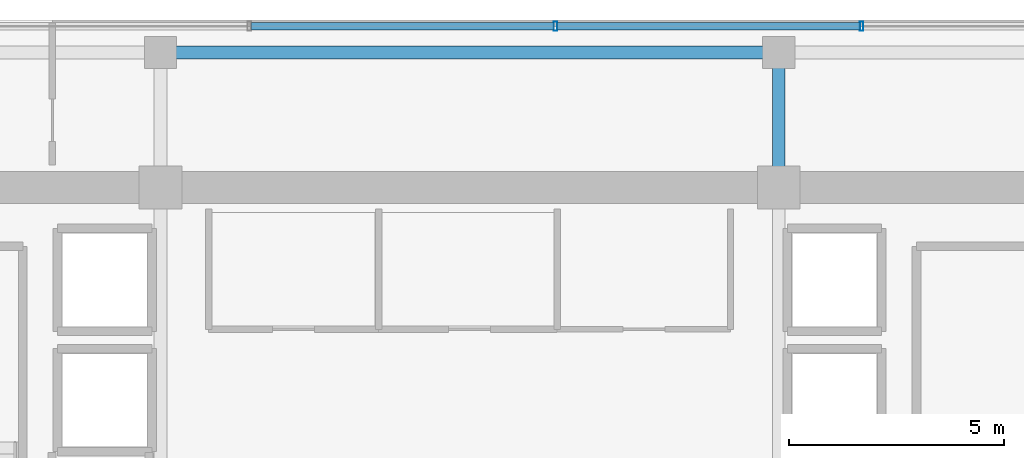
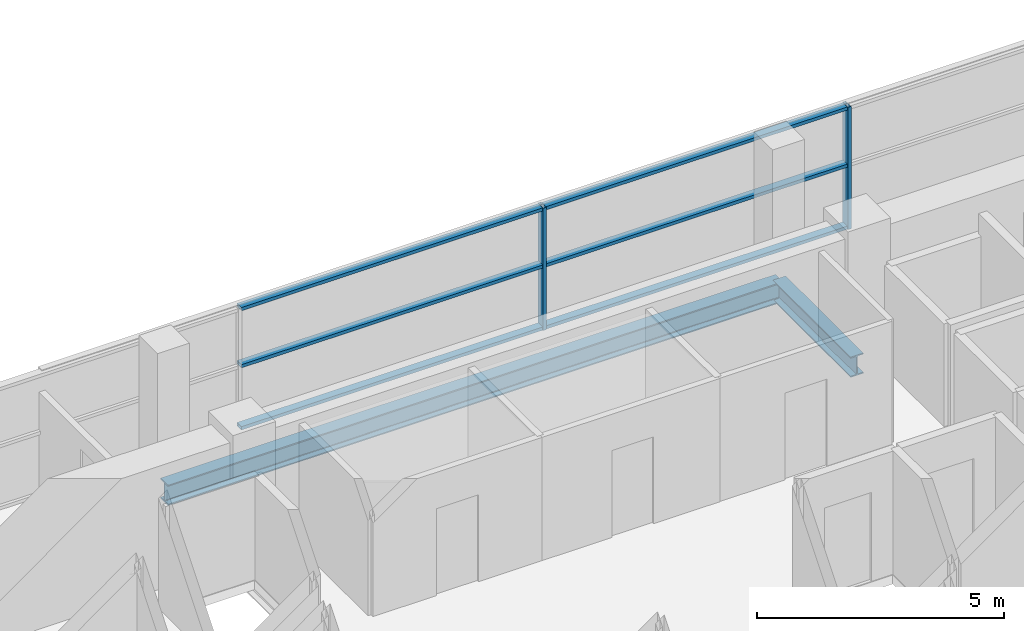
# One storey, part 11 of 22: 8 members, 2 beams, 1 element without a shape of its own.
"""IFC4 building model written with IfcOpenShell, lengths in metres."""

from ifc_helpers import new_model, si_unit, direction, frame, origin, origin_2d, place, context, subcontext, project, spatial, hollow_rectangle, i_section, extrude, source, transform, mapped, material, layer, layer_set, material_profile, profile_set, type_object, element, aggregate, save


model = new_model("IFC4")

# Units and contexts
model_context = context("Model", 3, precision=1e-05, world=origin(), true_north=direction((0.0, 1.0)))
body_context = subcontext(model_context, "Body", "Model", "MODEL_VIEW")
ifc_project = project(units=[si_unit("LENGTHUNIT", "METRE"), si_unit("AREAUNIT", "SQUARE_METRE"), si_unit("VOLUMEUNIT", "CUBIC_METRE"), si_unit("PLANEANGLEUNIT", "RADIAN"), si_unit("MASSUNIT", "GRAM", prefix="KILO")], contexts=[model_context])

# Site, building, storey
site_placement = place(None, origin())
site = spatial("IfcSite", under=ifc_project, at=site_placement, CompositionType="ELEMENT")
building_placement = place(site_placement, origin())
building = spatial("IfcBuilding", under=site, at=building_placement, Name="Zarnakvel Exchange Tower", CompositionType="ELEMENT")
storey_placement = place(building_placement, frame((0.0, 0.0, 195.699951171875)))
storey = spatial("IfcBuildingStorey", under=building, at=storey_placement, Name="L55", CompositionType="ELEMENT", Elevation=195.699951171875)

# Beams
ifc_material_1 = material(Name="Steel S355", Category="steel")
ifc_material_profile_1 = material_profile(ifc_material_1, i_section(OverallWidth=0.300048828125, OverallDepth=0.5, WebThickness=0.014404296875, FlangeThickness=0.028076171875, FilletRadius=0.027099609375, at=origin_2d()))
ifc_profile_set_1 = profile_set([ifc_material_profile_1], Name="Steel S355")
beam_type_1 = type_object("IfcBeamType", Name="G-06", PredefinedType="BEAM", material=ifc_profile_set_1)
beam_1_placement = place(storey_placement, frame((7.199951171875, 13.5, -0.474853515625), z_axis=(0.0, 1.0, 0.0), x_axis=(-1.0, 0.0, 0.0)))
element("IfcBeam", 1, at=beam_1_placement, inside=storey, type_object=beam_type_1, Name="L55 Tower N-S Frame Beam", PredefinedType="BEAM", context=body_context, shape_type="SweptSolid", body=[
    extrude(i_section(OverallWidth=0.300048828125, OverallDepth=0.5, WebThickness=0.014404296875, FlangeThickness=0.028076171875, FilletRadius=0.027099609375, at=origin_2d()), origin(), (0.0, 0.0, 1.0), 3.14990234375),
])
ifc_material_profile_2 = material_profile(ifc_material_1, i_section(OverallWidth=0.300048828125, OverallDepth=0.5, WebThickness=0.014404296875, FlangeThickness=0.028076171875, FilletRadius=0.027099609375, at=origin_2d()))
ifc_profile_set_2 = profile_set([ifc_material_profile_2], Name="Steel S355")
beam_type_2 = type_object("IfcBeamType", Name="SP-02", PredefinedType="SPANDREL", material=ifc_profile_set_2)
beam_2_placement = place(storey_placement, frame((-7.199951171875, 16.64990234375, -0.474853515625), z_axis=(1.0, 0.0, 0.0), x_axis=(0.0, 1.0, 0.0)))
element("IfcBeam", 2, at=beam_2_placement, inside=storey, type_object=beam_type_2, Name="L55 Tower E-W Frame Beam", PredefinedType="SPANDREL", context=body_context, shape_type="SweptSolid", body=[
    extrude(i_section(OverallWidth=0.300048828125, OverallDepth=0.5, WebThickness=0.014404296875, FlangeThickness=0.028076171875, FilletRadius=0.027099609375, at=origin_2d()), origin(), (0.0, 0.0, 1.0), 14.39990234375),
])

# Curtain wall, members
ifc_material_2 = material(Name="Architectural Bronze Anodised Aluminium", Category="aluminium")
ifc_layer = layer(ifc_material_2, 0.219970703125)
ifc_layer_set = layer_set([ifc_layer], Name="Architectural Bronze Anodised Aluminium")
curtain_wall_type = type_object("IfcCurtainWallType", Name="CW-03", PredefinedType="NOTDEFINED", material=ifc_layer_set)
curtain_wall_placement = place(storey_placement, origin())
curtain_wall = element("IfcCurtainWall", 3, at=curtain_wall_placement, inside=storey, type_object=curtain_wall_type, Name="L55 Curtain Wall CW-L55-N1 (CW-03)", PredefinedType="NOTDEFINED")
ifc_material_profile_3 = material_profile(ifc_material_2, hollow_rectangle(XDim=0.179931640625, YDim=0.080078125, WallThickness=0.00390625, at=origin_2d()))
ifc_profile_set_3 = profile_set([ifc_material_profile_3], Name="Architectural Bronze Anodised Aluminium")
member_type_1 = type_object("IfcMemberType", Name="CWT-03", PredefinedType="USERDEFINED", material=ifc_profile_set_3)
shared_shape_1 = source(origin(), body_context, "Body", "SweptSolid", [
    extrude(hollow_rectangle(XDim=0.179931640625, YDim=0.080078125, WallThickness=0.00390625, at=origin_2d()), origin(), (0.0, 0.0, 1.0), 7.05322265625),
])
member_1_placement = place(storey_placement, frame((-5.09326171875, 17.260009765625, 0.0400390625), z_axis=(1.0, 0.0, 0.0), x_axis=(0.0, 1.0, 0.0)))
member_1 = element("IfcMember", 4, at=member_1_placement, type_object=member_type_1, Name="CW-03 transom 3.1", ObjectType="TRANSOM", PredefinedType="USERDEFINED", context=body_context, shape_type="MappedRepresentation", body=[
    mapped(shared_shape_1, transform((0.0, 0.0, 0.0), x_axis=(1.0, 0.0, 0.0), y_axis=(0.0, 1.0, 0.0), z_axis=(0.0, 0.0, 1.0), scale=1.0)),
])
member_2_placement = place(storey_placement, frame((-5.09326171875, 17.260009765625, 1.57568359375), z_axis=(1.0, 0.0, 0.0), x_axis=(0.0, 1.0, 0.0)))
member_2 = element("IfcMember", 5, at=member_2_placement, type_object=member_type_1, Name="CW-03 transom 3.2", ObjectType="TRANSOM", PredefinedType="USERDEFINED", context=body_context, shape_type="MappedRepresentation", body=[
    mapped(shared_shape_1, transform((0.0, 0.0, 0.0), x_axis=(1.0, 0.0, 0.0), y_axis=(0.0, 1.0, 0.0), z_axis=(0.0, 0.0, 1.0), scale=1.0)),
])
member_3_placement = place(storey_placement, frame((-5.09326171875, 17.260009765625, 2.989990234375), z_axis=(1.0, 0.0, 0.0), x_axis=(0.0, 1.0, 0.0)))
member_3 = element("IfcMember", 6, at=member_3_placement, type_object=member_type_1, Name="CW-03 transom 3.3", ObjectType="TRANSOM", PredefinedType="USERDEFINED", context=body_context, shape_type="MappedRepresentation", body=[
    mapped(shared_shape_1, transform((0.0, 0.0, 0.0), x_axis=(1.0, 0.0, 0.0), y_axis=(0.0, 1.0, 0.0), z_axis=(0.0, 0.0, 1.0), scale=1.0)),
])
member_4_placement = place(storey_placement, frame((2.0400390625, 17.260009765625, 0.0400390625), z_axis=(1.0, 0.0, 0.0), x_axis=(0.0, 1.0, 0.0)))
member_4 = element("IfcMember", 7, at=member_4_placement, type_object=member_type_1, Name="CW-03 transom 4.1", ObjectType="TRANSOM", PredefinedType="USERDEFINED", context=body_context, shape_type="MappedRepresentation", body=[
    mapped(shared_shape_1, transform((0.0, 0.0, 0.0), x_axis=(1.0, 0.0, 0.0), y_axis=(0.0, 1.0, 0.0), z_axis=(0.0, 0.0, 1.0), scale=1.0)),
])
member_5_placement = place(storey_placement, frame((2.0400390625, 17.260009765625, 1.57568359375), z_axis=(1.0, 0.0, 0.0), x_axis=(0.0, 1.0, 0.0)))
member_5 = element("IfcMember", 8, at=member_5_placement, type_object=member_type_1, Name="CW-03 transom 4.2", ObjectType="TRANSOM", PredefinedType="USERDEFINED", context=body_context, shape_type="MappedRepresentation", body=[
    mapped(shared_shape_1, transform((0.0, 0.0, 0.0), x_axis=(1.0, 0.0, 0.0), y_axis=(0.0, 1.0, 0.0), z_axis=(0.0, 0.0, 1.0), scale=1.0)),
])
member_6_placement = place(storey_placement, frame((2.0400390625, 17.260009765625, 2.989990234375), z_axis=(1.0, 0.0, 0.0), x_axis=(0.0, 1.0, 0.0)))
member_6 = element("IfcMember", 9, at=member_6_placement, type_object=member_type_1, Name="CW-03 transom 4.3", ObjectType="TRANSOM", PredefinedType="USERDEFINED", context=body_context, shape_type="MappedRepresentation", body=[
    mapped(shared_shape_1, transform((0.0, 0.0, 0.0), x_axis=(1.0, 0.0, 0.0), y_axis=(0.0, 1.0, 0.0), z_axis=(0.0, 0.0, 1.0), scale=1.0)),
])
ifc_material_profile_4 = material_profile(ifc_material_2, hollow_rectangle(XDim=0.219970703125, YDim=0.080078125, WallThickness=0.0048828125, at=origin_2d()))
ifc_profile_set_4 = profile_set([ifc_material_profile_4], Name="Architectural Bronze Anodised Aluminium")
member_type_2 = type_object("IfcMemberType", Name="CWM-03", PredefinedType="MULLION", material=ifc_profile_set_4)
shared_shape_2 = source(origin(), body_context, "Body", "SweptSolid", [
    extrude(hollow_rectangle(XDim=0.219970703125, YDim=0.080078125, WallThickness=0.0048828125, at=origin_2d()), origin(), (0.0, 0.0, 1.0), 3.030029296875),
])
member_7_placement = place(storey_placement, frame((2.0, 17.260009765625, 0.0), z_axis=(0.0, 0.0, 1.0), x_axis=(0.0, 1.0, 0.0)))
member_7 = element("IfcMember", 10, at=member_7_placement, type_object=member_type_2, Name="CW-03 mullion 4", PredefinedType="MULLION", context=body_context, shape_type="MappedRepresentation", body=[
    mapped(shared_shape_2, transform((0.0, 0.0, 0.0), x_axis=(1.0, 0.0, 0.0), y_axis=(0.0, 1.0, 0.0), z_axis=(0.0, 0.0, 1.0), scale=1.0)),
])
member_8_placement = place(storey_placement, frame((9.13330078125, 17.260009765625, 0.0), z_axis=(0.0, 0.0, 1.0), x_axis=(0.0, 1.0, 0.0)))
member_8 = element("IfcMember", 11, at=member_8_placement, type_object=member_type_2, Name="CW-03 mullion 5", PredefinedType="MULLION", context=body_context, shape_type="MappedRepresentation", body=[
    mapped(shared_shape_2, transform((0.0, 0.0, 0.0), x_axis=(1.0, 0.0, 0.0), y_axis=(0.0, 1.0, 0.0), z_axis=(0.0, 0.0, 1.0), scale=1.0)),
])
aggregate(curtain_wall, [member_7, member_8, member_1, member_2, member_3, member_4, member_5, member_6])

save(model, "model.ifc")
